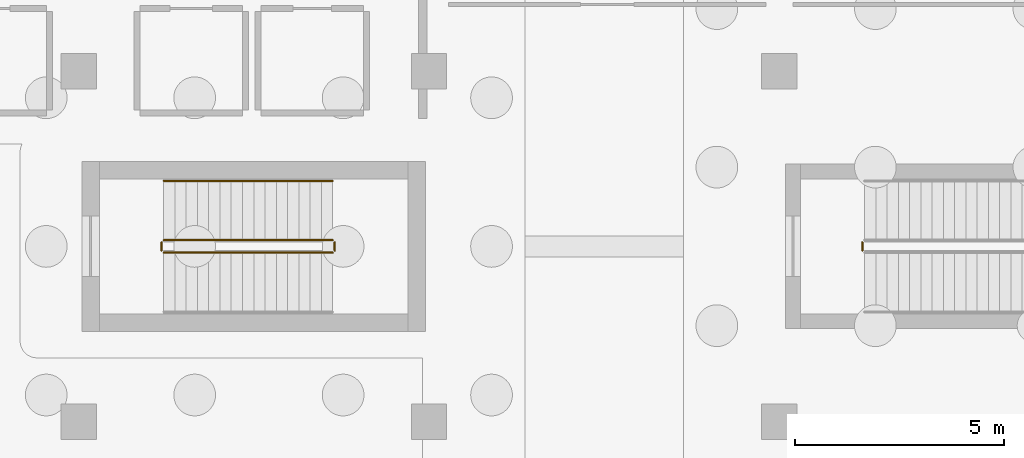
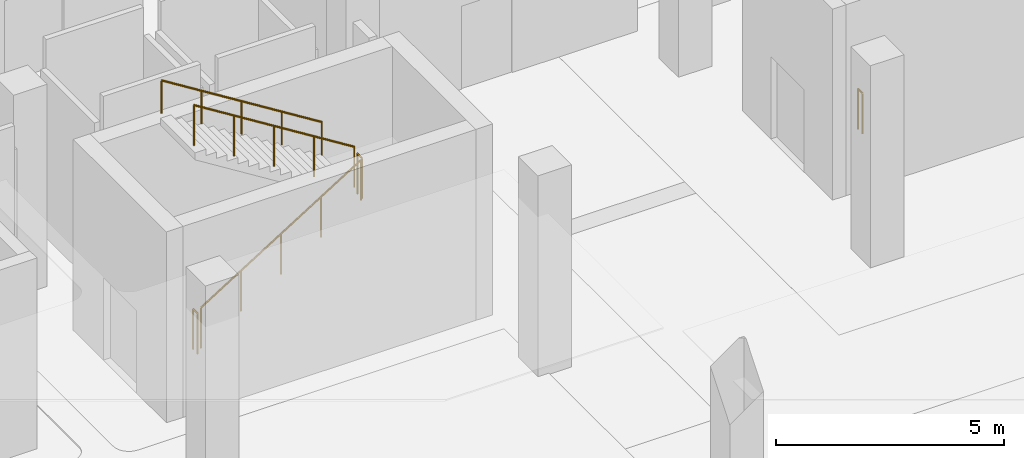
# One storey, part 87 of 98: 6 railings.
"""IFC4 building model written with IfcOpenShell, lengths in metres."""

from ifc_helpers import new_model, si_unit, direction, frame, origin, origin_2d, place, context, subcontext, project, spatial, circle, extrude, material, type_object, element, save


model = new_model("IFC4")

# Units and contexts
model_context = context("Model", 3, precision=1e-05, world=origin(), true_north=direction((0.0, 1.0)))
body_context = subcontext(model_context, "Body", "Model", "MODEL_VIEW")
ifc_project = project(units=[si_unit("LENGTHUNIT", "METRE"), si_unit("AREAUNIT", "SQUARE_METRE"), si_unit("VOLUMEUNIT", "CUBIC_METRE"), si_unit("PLANEANGLEUNIT", "RADIAN"), si_unit("MASSUNIT", "GRAM", prefix="KILO")], contexts=[model_context])

# Site, building, storey
site_placement = place(None, origin())
site = spatial("IfcSite", under=ifc_project, at=site_placement, CompositionType="ELEMENT")
building_placement = place(site_placement, origin())
building = spatial("IfcBuilding", under=site, at=building_placement, Name="Xazarin Passage Department Store", CompositionType="ELEMENT")
storey_placement = place(building_placement, origin())
storey = spatial("IfcBuildingStorey", under=building, at=storey_placement, Name="L00", CompositionType="ELEMENT", Elevation=0.0)

# Railings
ifc_material = material(Name="Steel S355", Category="steel")
railing_type_1 = type_object("IfcRailingType", Name="ARC-RL-GRD112", PredefinedType="GUARDRAIL", material=ifc_material)
railing_1_placement = place(storey_placement, frame((10.43994140625, 80.449951171875, 0.168701171875)))
element("IfcRailing", 1, at=railing_1_placement, inside=storey, type_object=railing_type_1, Name="L00 ST1 stair guard 1", PredefinedType="GUARDRAIL", context=body_context, shape_type="SweptSolid", body=[
    extrude(circle(Radius=0.02392578125, at=origin_2d()), frame((0.0, 0.0, 1.076171875), z_axis=(0.848001175806, 0.0, 0.529994345094), x_axis=(0.0, 1.0, 0.0)), (0.0, 0.0, 1.0), 4.77587890625),
    extrude(circle(Radius=0.02099609375, at=origin_2d()), origin(), (0.0, 0.0, 1.0), 1.0517578125),
    extrude(circle(Radius=0.02099609375, at=origin_2d()), frame((1.012451171875, 0.0, 0.6328125)), (0.0, 0.0, 1.0), 1.0517578125),
    extrude(circle(Radius=0.02099609375, at=origin_2d()), frame((2.02490234375, 0.0, 1.265625)), (0.0, 0.0, 1.0), 1.0517578125),
    extrude(circle(Radius=0.02099609375, at=origin_2d()), frame((3.03759765625, 0.0, 1.8984375)), (0.0, 0.0, 1.0), 1.0517578125),
    extrude(circle(Radius=0.02099609375, at=origin_2d()), frame((4.050048828125, 0.0, 2.53125)), (0.0, 0.0, 1.0), 1.0517578125),
])
railing_2_placement = place(storey_placement, frame((14.5400390625, 80.5, 2.699951171875)))
element("IfcRailing", 2, at=railing_2_placement, inside=storey, type_object=railing_type_1, Name="L00 ST1 stair guard 2", PredefinedType="GUARDRAIL", context=body_context, shape_type="SweptSolid", body=[
    extrude(circle(Radius=0.02392578125, at=origin_2d()), frame((0.0, 0.0, 1.076171875), z_axis=(0.0, 1.0, 0.0), x_axis=(-1.0, 0.0, 0.0)), (0.0, 0.0, 1.0), 0.199951171875),
    extrude(circle(Radius=0.02099609375, at=origin_2d()), origin(), (0.0, 0.0, 1.0), 1.0517578125),
    extrude(circle(Radius=0.02099609375, at=origin_2d()), frame((0.0, 0.199951171875, 0.0)), (0.0, 0.0, 1.0), 1.0517578125),
])
railing_3_placement = place(storey_placement, frame((14.489990234375, 80.75, 2.86865234375)))
element("IfcRailing", 3, at=railing_3_placement, inside=storey, type_object=railing_type_1, Name="L00 ST1 stair guard 3", PredefinedType="GUARDRAIL", context=body_context, shape_type="SweptSolid", body=[
    extrude(circle(Radius=0.02392578125, at=origin_2d()), frame((0.0, 0.0, 1.076171875), z_axis=(-0.848001175806, 0.0, 0.529994345094), x_axis=(0.0, -1.0, 0.0)), (0.0, 0.0, 1.0), 4.77587890625),
    extrude(circle(Radius=0.02099609375, at=origin_2d()), origin(), (0.0, 0.0, 1.0), 1.0517578125),
    extrude(circle(Radius=0.02099609375, at=origin_2d()), frame((-1.012451171875, 0.0, 0.6328125)), (0.0, 0.0, 1.0), 1.0517578125),
    extrude(circle(Radius=0.02099609375, at=origin_2d()), frame((-2.02490234375, 0.0, 1.265625)), (0.0, 0.0, 1.0), 1.0517578125),
    extrude(circle(Radius=0.02099609375, at=origin_2d()), frame((-3.03759765625, 0.0, 1.8984375)), (0.0, 0.0, 1.0), 1.0517578125),
    extrude(circle(Radius=0.02099609375, at=origin_2d()), frame((-4.050048828125, 0.0, 2.53125)), (0.0, 0.0, 1.0), 1.0517578125),
])
for number, where, name in (
    (4, (10.389892578125, 80.5, 0.0), "L00 ST1 stair guard 4"),
    (5, (27.18994140625, 80.5, 0.0), "L00 ST3 stair guard 4"),
):
    element("IfcRailing", number, at=place(storey_placement, frame(where)), inside=storey, type_object=railing_type_1, Name=name, PredefinedType="GUARDRAIL", context=body_context, shape_type="SweptSolid", body=[
        extrude(circle(Radius=0.02392578125, at=origin_2d()), frame((0.0, 0.0, 1.076171875), z_axis=(0.0, 1.0, 0.0), x_axis=(-1.0, 0.0, 0.0)), (0.0, 0.0, 1.0), 0.199951171875),
        extrude(circle(Radius=0.02099609375, at=origin_2d()), origin(), (0.0, 0.0, 1.0), 1.0517578125),
        extrude(circle(Radius=0.02099609375, at=origin_2d()), frame((0.0, 0.199951171875, 0.0)), (0.0, 0.0, 1.0), 1.0517578125),
    ])
railing_type_2 = type_object("IfcRailingType", Name="ARC-RL-HND090", PredefinedType="HANDRAIL", material=ifc_material)
railing_4_placement = place(storey_placement, frame((14.489990234375, 82.169921875, 2.86865234375)))
element("IfcRailing", 6, at=railing_4_placement, inside=storey, type_object=railing_type_2, Name="L00 ST1 stair handrail 2", PredefinedType="HANDRAIL", context=body_context, shape_type="SweptSolid", body=[
    extrude(circle(Radius=0.02392578125, at=origin_2d()), frame((0.0, 0.0, 0.8759765625), z_axis=(-0.848001175806, 0.0, 0.529994345094), x_axis=(0.0, -1.0, 0.0)), (0.0, 0.0, 1.0), 4.77587890625),
    extrude(circle(Radius=0.02099609375, at=origin_2d()), origin(), (0.0, 0.0, 1.0), 0.8515625),
    extrude(circle(Radius=0.02099609375, at=origin_2d()), frame((-1.012451171875, 0.0, 0.6328125)), (0.0, 0.0, 1.0), 0.8515625),
    extrude(circle(Radius=0.02099609375, at=origin_2d()), frame((-2.02490234375, 0.0, 1.265625)), (0.0, 0.0, 1.0), 0.8515625),
    extrude(circle(Radius=0.02099609375, at=origin_2d()), frame((-3.03759765625, 0.0, 1.8984375)), (0.0, 0.0, 1.0), 0.8515625),
    extrude(circle(Radius=0.02099609375, at=origin_2d()), frame((-4.050048828125, 0.0, 2.53125)), (0.0, 0.0, 1.0), 0.8515625),
])

save(model, "model.ifc")
